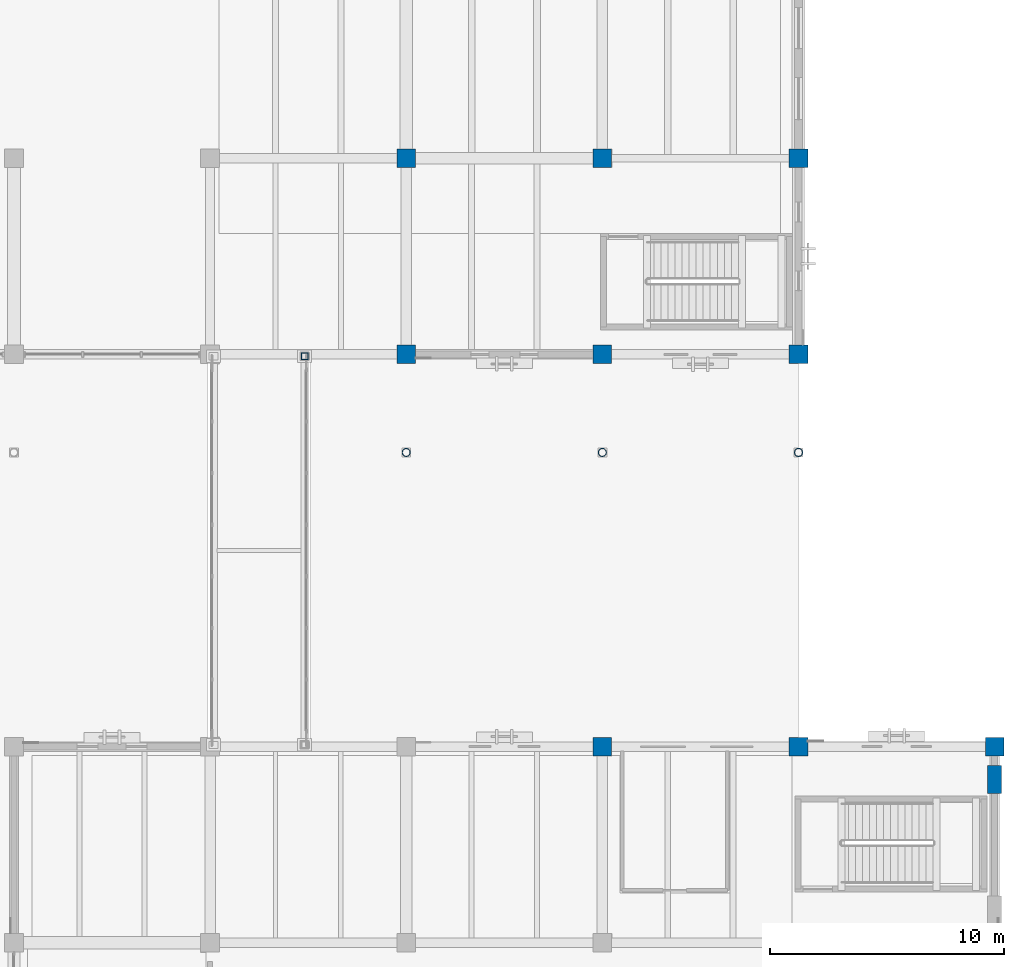
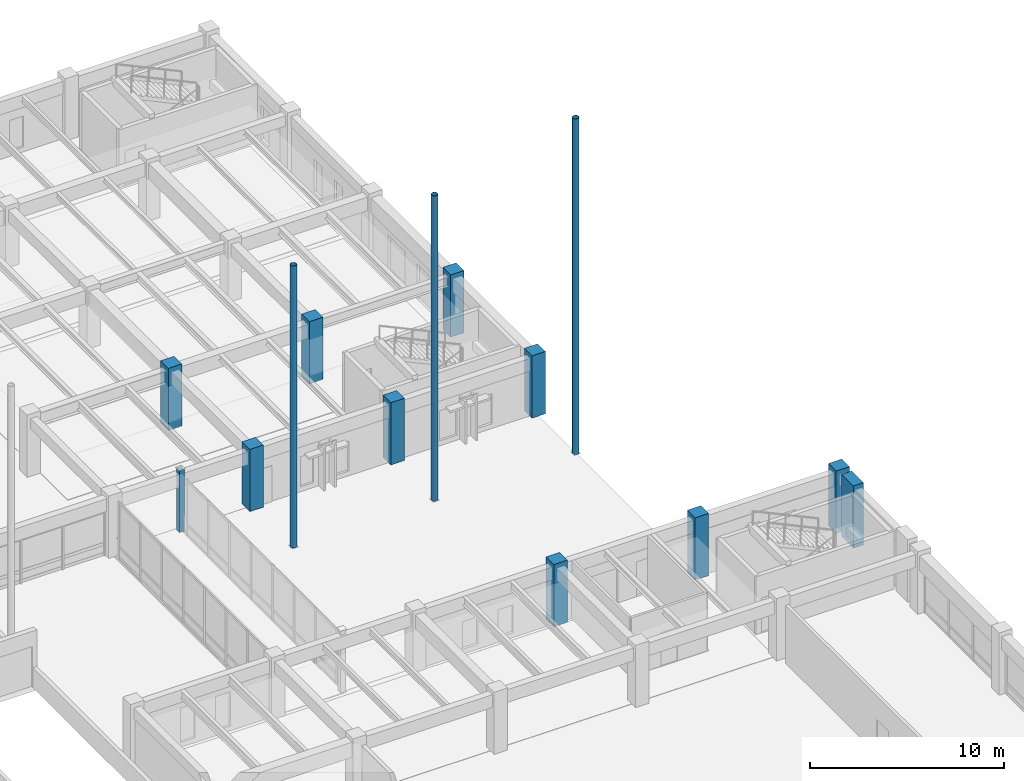
# One storey, part 21 of 135: 14 columns.
"""IFC4 building model written with IfcOpenShell, lengths in metres."""

from ifc_helpers import new_model, si_unit, direction, frame, origin, origin_2d, place, context, subcontext, project, spatial, rectangle, hollow_rectangle, hollow_circle, extrude, material, material_profile, profile_set, type_object, element, save


model = new_model("IFC4")

# Units and contexts
model_context = context("Model", 3, precision=1e-05, world=origin(), true_north=direction((0.0, 1.0)))
body_context = subcontext(model_context, "Body", "Model", "MODEL_VIEW")
ifc_project = project(units=[si_unit("LENGTHUNIT", "METRE"), si_unit("AREAUNIT", "SQUARE_METRE"), si_unit("VOLUMEUNIT", "CUBIC_METRE"), si_unit("PLANEANGLEUNIT", "RADIAN"), si_unit("MASSUNIT", "GRAM", prefix="KILO")], contexts=[model_context])

# Site, building, storey
site_placement = place(None, origin())
site = spatial("IfcSite", under=ifc_project, at=site_placement, CompositionType="ELEMENT")
building_placement = place(site_placement, origin())
building = spatial("IfcBuilding", under=site, at=building_placement, Name="Cumbredor Promenade Congress Hotel", CompositionType="ELEMENT")
storey_placement = place(building_placement, origin())
storey = spatial("IfcBuildingStorey", under=building, at=storey_placement, Name="L00", CompositionType="ELEMENT", Elevation=0.0)

# Columns
ifc_material_1 = material(Name="Concrete C50/60", Category="concrete")
ifc_material_profile_1 = material_profile(ifc_material_1, rectangle(XDim=0.800048828125, YDim=0.800048828125, at=origin_2d()), Name="RC 800x800")
ifc_profile_set_1 = profile_set([ifc_material_profile_1], Name="Concrete C50/60")
column_type_1 = type_object("IfcColumnType", Name="COL-RC-800", PredefinedType="COLUMN", material=ifc_profile_set_1)
for number, where, z_axis, x_axis, name in (
    (1, (159.60009765625, 84.0, 0.0), (0.0, 0.0, 1.0), (1.0, 0.0, 0.0), "L00 Structural Column 178"),
    (2, (159.60009765625, 92.39990234375, 0.0), (0.0, 0.0, 1.0), (1.0, 0.0, 0.0), "L00 Structural Column 179"),
    (3, (168.0, 67.199951171875, 0.0), (0.0, 0.0, 1.0), (1.0, 0.0, 0.0), "L00 Structural Column 186"),
    (4, (168.0, 84.0, 0.0), (0.0, 0.0, 1.0), (1.0, 0.0, 0.0), "L00 Structural Column 187"),
    (5, (168.0, 92.39990234375, 0.0), (0.0, 0.0, 1.0), (1.0, 0.0, 0.0), "L00 Structural Column 188"),
    (6, (176.39990234375, 67.199951171875, 0.0), (0.0, 0.0, 1.0), (1.0, 0.0, 0.0), "L00 Structural Column 195"),
    (7, (176.39990234375, 84.0, 0.0), (0.0, 0.0, 1.0), (1.0, 0.0, 0.0), "L00 Structural Column 196"),
    (8, (176.39990234375, 92.39990234375, 0.0), (0.0, 0.0, 1.0), (1.0, 0.0, 0.0), "L00 Structural Column 197"),
    (9, (184.800048828125, 67.199951171875, 0.0), (0.0, 0.0, 1.0), (1.0, 0.0, 0.0), "L00 Structural Column 208"),
):
    element("IfcColumn", number, at=place(storey_placement, frame(where, z_axis=z_axis, x_axis=x_axis)), inside=storey, type_object=column_type_1, Name=name, PredefinedType="COLUMN", context=body_context, shape_type="SweptSolid", body=[
        extrude(rectangle(XDim=0.800048828125, YDim=0.800048828125, at=origin_2d()), origin(), (0.0, 0.0, 1.0), 3.919921875),
    ])
ifc_material_2 = material(Name="Steel ASTM A500 Grade C", Category="steel")
ifc_material_profile_2 = material_profile(ifc_material_2, hollow_circle(Radius=0.177734375, WallThickness=0.01611328125, at=origin_2d()), Name="CHS 355.6x16")
ifc_profile_set_2 = profile_set([ifc_material_profile_2], Name="Steel ASTM A500 Grade C")
column_type_2 = type_object("IfcColumnType", Name="COL-STL-CHS355", PredefinedType="COLUMN", material=ifc_profile_set_2)
column_1_placement = place(storey_placement, frame((159.60009765625, 79.800048828125, 0.0), z_axis=(0.0, 0.0, 1.0), x_axis=(1.0, 0.0, 0.0)))
element("IfcColumn", 10, at=column_1_placement, inside=storey, type_object=column_type_2, Name="Pre-Function and Breakout Meeting Forum Slim Overhang Pavilion Column 07", PredefinedType="COLUMN", context=body_context, shape_type="SweptSolid", body=[
    extrude(hollow_circle(Radius=0.177734375, WallThickness=0.01611328125, at=origin_2d()), origin(), (0.0, 0.0, 1.0), 17.737060546875),
])
column_2_placement = place(storey_placement, frame((168.0, 79.800048828125, 0.0), z_axis=(0.0, 0.0, 1.0), x_axis=(1.0, 0.0, 0.0)))
element("IfcColumn", 11, at=column_2_placement, inside=storey, type_object=column_type_2, Name="Pre-Function and Breakout Meeting Forum Slim Overhang Pavilion Column 08", PredefinedType="COLUMN", context=body_context, shape_type="SweptSolid", body=[
    extrude(hollow_circle(Radius=0.177734375, WallThickness=0.01611328125, at=origin_2d()), origin(), (0.0, 0.0, 1.0), 19.21630859375),
])
column_3_placement = place(storey_placement, frame((176.39990234375, 79.800048828125, 0.0), z_axis=(0.0, 0.0, 1.0), x_axis=(1.0, 0.0, 0.0)))
element("IfcColumn", 12, at=column_3_placement, inside=storey, type_object=column_type_2, Name="Pre-Function and Breakout Meeting Forum Slim Overhang Pavilion Column 09", PredefinedType="COLUMN", context=body_context, shape_type="SweptSolid", body=[
    extrude(hollow_circle(Radius=0.177734375, WallThickness=0.01611328125, at=origin_2d()), origin(), (0.0, 0.0, 1.0), 21.11669921875),
])
ifc_material_profile_3 = material_profile(ifc_material_2, hollow_rectangle(XDim=0.300048828125, YDim=0.300048828125, WallThickness=0.01611328125, at=origin_2d()), Name="HSS 300x300x16")
ifc_profile_set_3 = profile_set([ifc_material_profile_3], Name="Steel ASTM A500 Grade C")
column_type_3 = type_object("IfcColumnType", Name="COL-STL-HSS300", PredefinedType="COLUMN", material=ifc_profile_set_3)
column_4_placement = place(storey_placement, frame((155.25, 83.919921875, 0.0), z_axis=(0.0, 0.0, 1.0), x_axis=(1.0, 0.0, 0.0)))
element("IfcColumn", 13, at=column_4_placement, inside=storey, type_object=column_type_3, Name="L00 East Ballroom-to-Forum Glazed Bridge Support Column 4", PredefinedType="COLUMN", context=body_context, shape_type="SweptSolid", body=[
    extrude(hollow_rectangle(XDim=0.300048828125, YDim=0.300048828125, WallThickness=0.01611328125, at=origin_2d()), origin(), (0.0, 0.0, 1.0), 3.919921875),
])
ifc_material_profile_4 = material_profile(ifc_material_1, rectangle(XDim=0.60009765625, YDim=1.199951171875, at=origin_2d()), Name="RC PILASTER 1200x600")
ifc_profile_set_4 = profile_set([ifc_material_profile_4], Name="Concrete C50/60")
column_type_4 = type_object("IfcColumnType", Name="PIL-RC-1200x600", PredefinedType="PILASTER", material=ifc_profile_set_4)
column_5_placement = place(storey_placement, frame((184.800048828125, 65.800048828125, 0.0), z_axis=(0.0, 0.0, 1.0), x_axis=(1.0, 0.0, 0.0)))
element("IfcColumn", 14, at=column_5_placement, inside=storey, type_object=column_type_4, Name="L00 Acoustic Seismic Pilaster 024", PredefinedType="PILASTER", context=body_context, shape_type="SweptSolid", body=[
    extrude(rectangle(XDim=0.60009765625, YDim=1.199951171875, at=origin_2d()), origin(), (0.0, 0.0, 1.0), 3.919921875),
])

save(model, "model.ifc")
